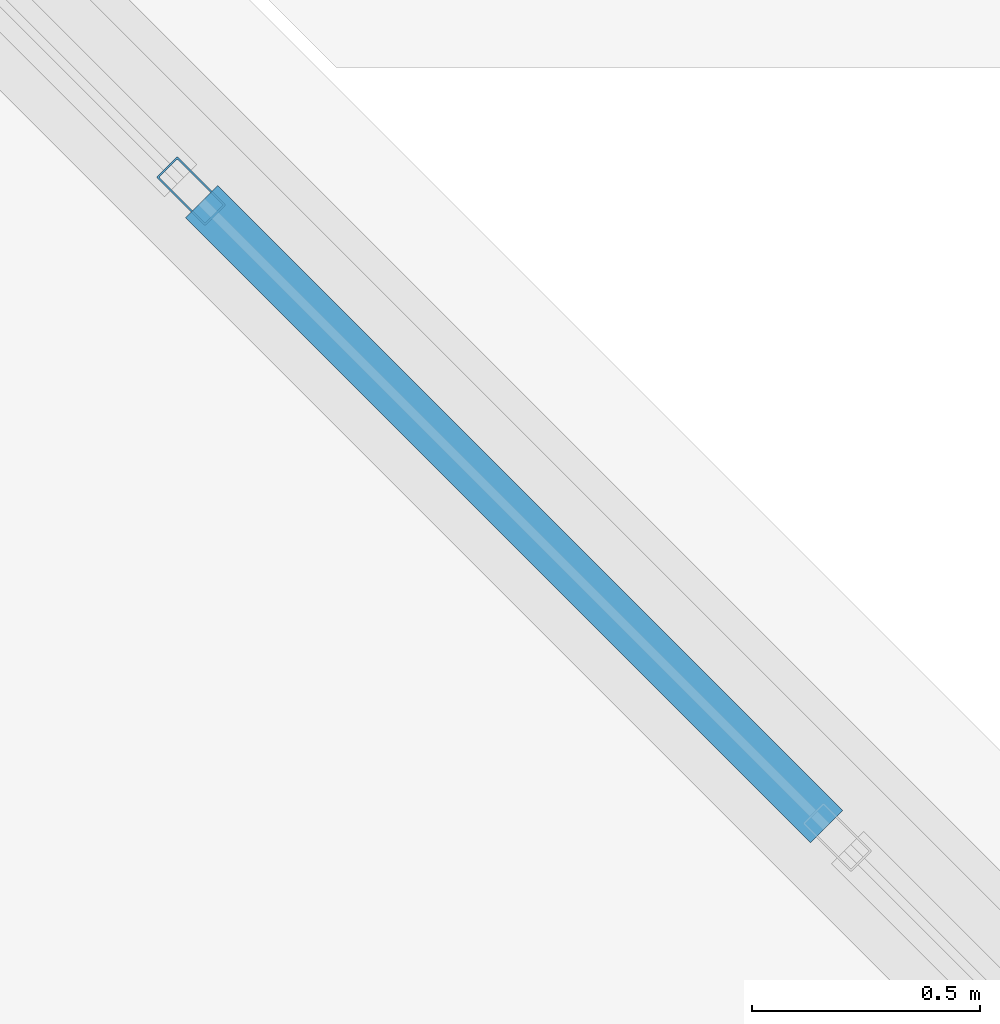
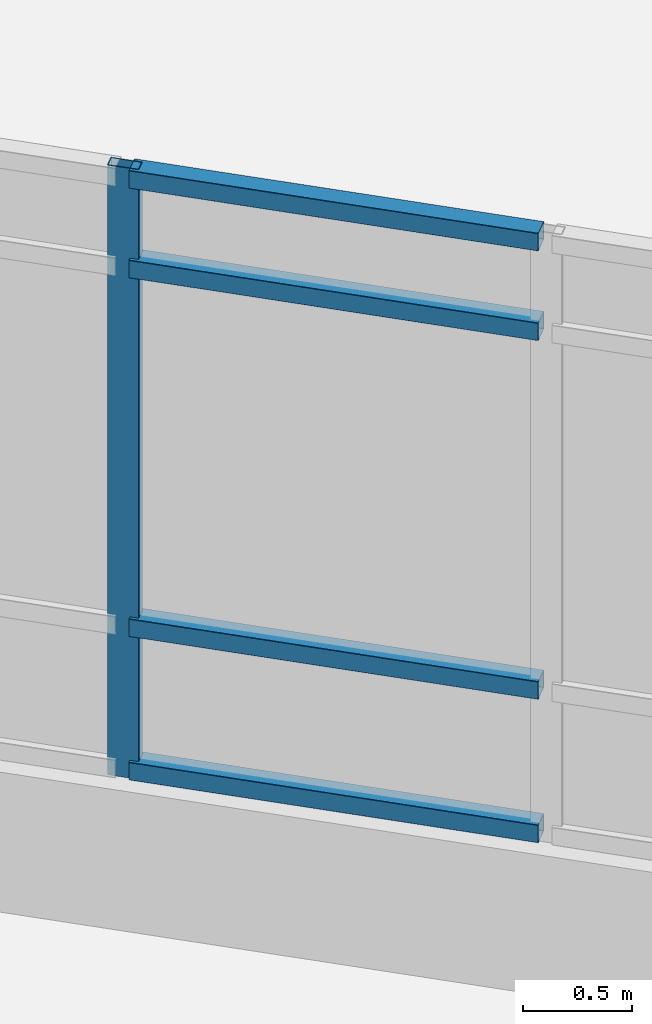
# One storey, part 81 of 129: 5 members, 1 element without a shape of its own.
"""IFC4 building model written with IfcOpenShell, lengths in metres."""

from ifc_helpers import new_model, si_unit, direction, frame, origin, origin_2d, place, context, subcontext, project, spatial, hollow_rectangle, extrude, material, layer, layer_set, material_profile, profile_set, type_object, element, aggregate, save


model = new_model("IFC4")

# Units and contexts
model_context = context("Model", 3, precision=1e-05, world=origin(), true_north=direction((0.0, 1.0)))
body_context = subcontext(model_context, "Body", "Model", "MODEL_VIEW")
ifc_project = project(units=[si_unit("LENGTHUNIT", "METRE"), si_unit("AREAUNIT", "SQUARE_METRE"), si_unit("VOLUMEUNIT", "CUBIC_METRE"), si_unit("PLANEANGLEUNIT", "RADIAN"), si_unit("MASSUNIT", "GRAM", prefix="KILO")], contexts=[model_context])

# Site, building, storey
site_placement = place(None, origin())
site = spatial("IfcSite", under=ifc_project, at=site_placement, CompositionType="ELEMENT")
building_placement = place(site_placement, origin())
building = spatial("IfcBuilding", under=site, at=building_placement, Name="Vespera Passage Community Centre", CompositionType="ELEMENT")
storey_placement = place(building_placement, origin())
storey = spatial("IfcBuildingStorey", under=building, at=storey_placement, Name="L00", CompositionType="ELEMENT", Elevation=0.0)

# Curtain wall, members
ifc_material_1 = material(Name="Anodized aluminium 6063-T6", Category="aluminium")
ifc_layer = layer(ifc_material_1, 0.159912109375)
ifc_layer_set = layer_set([ifc_layer], Name="Anodized aluminium 6063-T6")
curtain_wall_type = type_object("IfcCurtainWallType", Name="CW-111E", PredefinedType="NOTDEFINED", material=ifc_layer_set)
curtain_wall_placement = place(storey_placement, origin())
curtain_wall = element("IfcCurtainWall", 1, at=curtain_wall_placement, inside=storey, type_object=curtain_wall_type, Name="Passage Espresso Cafe Ribbon Curtain Wall 2", PredefinedType="NOTDEFINED")
ifc_material_2 = material(Name="Anodized aluminium 6063-T6", Category="aluminium")
ifc_material_profile_1 = material_profile(ifc_material_2, hollow_rectangle(XDim=0.06494140625, YDim=0.14990234375, WallThickness=0.00390625, InnerFilletRadius=0.001953125, OuterFilletRadius=0.00390625, at=origin_2d()), Name="ALU150X65X4")
ifc_profile_set_1 = profile_set([ifc_material_profile_1], Name="Anodized aluminium 6063-T6")
member_type_1 = type_object("IfcMemberType", Name="MB-CWM-150E", PredefinedType="MULLION", material=ifc_profile_set_1)
member_1_placement = place(storey_placement, frame((129.255859375, 42.729248046875, 0.780029296875), z_axis=(0.0, 0.0, 1.0), x_axis=(0.707106781187, 0.707106781187, 0.0)))
member_1 = element("IfcMember", 2, at=member_1_placement, type_object=member_type_1, Name="CW-111E mullion 2", PredefinedType="MULLION", context=body_context, shape_type="SweptSolid", body=[
    extrude(hollow_rectangle(XDim=0.06494140625, YDim=0.14990234375, WallThickness=0.00390625, InnerFilletRadius=0.001953125, OuterFilletRadius=0.00390625, at=origin_2d()), origin(), (0.0, 0.0, 1.0), 3.39990234375),
])
ifc_material_3 = material(Name="Anodized aluminium 6063-T6", Category="aluminium")
ifc_material_profile_2 = material_profile(ifc_material_3, hollow_rectangle(XDim=0.10009765625, YDim=0.10009765625, WallThickness=0.00390625, InnerFilletRadius=0.001953125, OuterFilletRadius=0.00390625, at=origin_2d()), Name="ALU100X100X4")
ifc_profile_set_2 = profile_set([ifc_material_profile_2], Name="Anodized aluminium 6063-T6")
member_type_2 = type_object("IfcMemberType", Name="MB-CWT-100E", PredefinedType="USERDEFINED", material=ifc_profile_set_2)
member_2_placement = place(storey_placement, frame((129.279052734375, 42.7060546875, 0.830078125), z_axis=(0.707106781187, -0.707106781187, 0.0), x_axis=(0.707106781187, 0.707106781187, 0.0)))
member_2 = element("IfcMember", 3, at=member_2_placement, type_object=member_type_2, Name="CW-111E transom 2.1", ObjectType="TRANSOM", PredefinedType="USERDEFINED", context=body_context, shape_type="SweptSolid", body=[
    extrude(hollow_rectangle(XDim=0.10009765625, YDim=0.10009765625, WallThickness=0.00390625, InnerFilletRadius=0.001953125, OuterFilletRadius=0.00390625, at=origin_2d()), origin(), (0.0, 0.0, 1.0), 1.935302734375),
])
member_3_placement = place(storey_placement, frame((129.279052734375, 42.7060546875, 1.6298828125), z_axis=(0.707106781187, -0.707106781187, 0.0), x_axis=(0.707106781187, 0.707106781187, 0.0)))
member_3 = element("IfcMember", 4, at=member_3_placement, type_object=member_type_2, Name="CW-111E transom 2.2", ObjectType="TRANSOM", PredefinedType="USERDEFINED", context=body_context, shape_type="SweptSolid", body=[
    extrude(hollow_rectangle(XDim=0.10009765625, YDim=0.10009765625, WallThickness=0.00390625, InnerFilletRadius=0.001953125, OuterFilletRadius=0.00390625, at=origin_2d()), origin(), (0.0, 0.0, 1.0), 1.935302734375),
])
member_4_placement = place(storey_placement, frame((129.279052734375, 42.7060546875, 3.6298828125), z_axis=(0.707106781187, -0.707106781187, 0.0), x_axis=(0.707106781187, 0.707106781187, 0.0)))
member_4 = element("IfcMember", 5, at=member_4_placement, type_object=member_type_2, Name="CW-111E transom 2.3", ObjectType="TRANSOM", PredefinedType="USERDEFINED", context=body_context, shape_type="SweptSolid", body=[
    extrude(hollow_rectangle(XDim=0.10009765625, YDim=0.10009765625, WallThickness=0.00390625, InnerFilletRadius=0.001953125, OuterFilletRadius=0.00390625, at=origin_2d()), origin(), (0.0, 0.0, 1.0), 1.935302734375),
])
member_5_placement = place(storey_placement, frame((129.279052734375, 42.7060546875, 4.1298828125), z_axis=(0.707106781187, -0.707106781187, 0.0), x_axis=(0.707106781187, 0.707106781187, 0.0)))
member_5 = element("IfcMember", 6, at=member_5_placement, type_object=member_type_2, Name="CW-111E transom 2.4", ObjectType="TRANSOM", PredefinedType="USERDEFINED", context=body_context, shape_type="SweptSolid", body=[
    extrude(hollow_rectangle(XDim=0.10009765625, YDim=0.10009765625, WallThickness=0.00390625, InnerFilletRadius=0.001953125, OuterFilletRadius=0.00390625, at=origin_2d()), origin(), (0.0, 0.0, 1.0), 1.935302734375),
])
aggregate(curtain_wall, [member_1, member_2, member_3, member_4, member_5])

save(model, "model.ifc")
